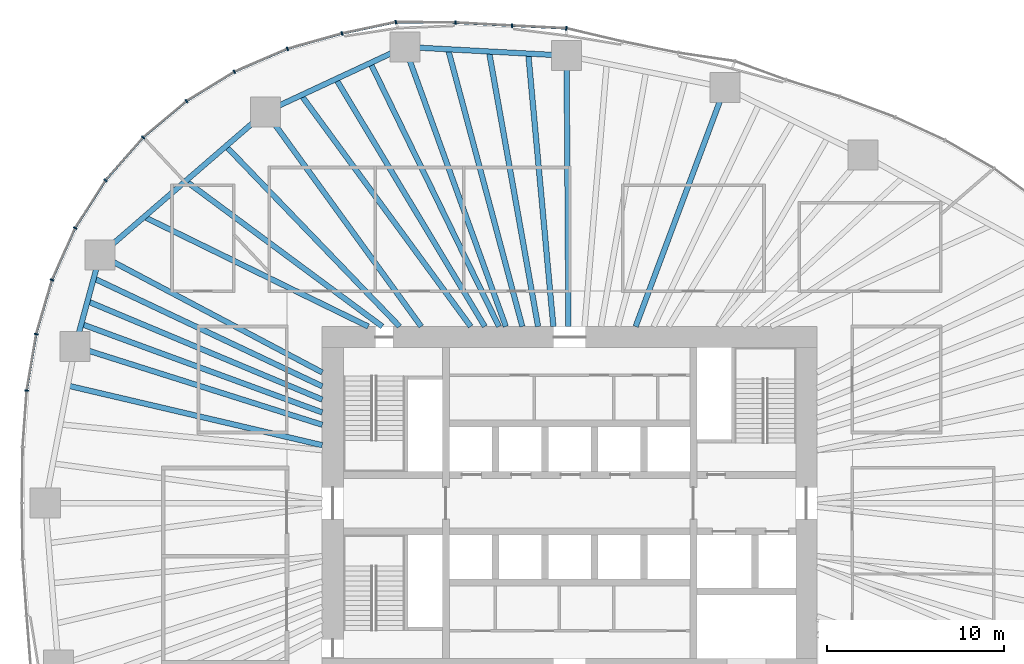
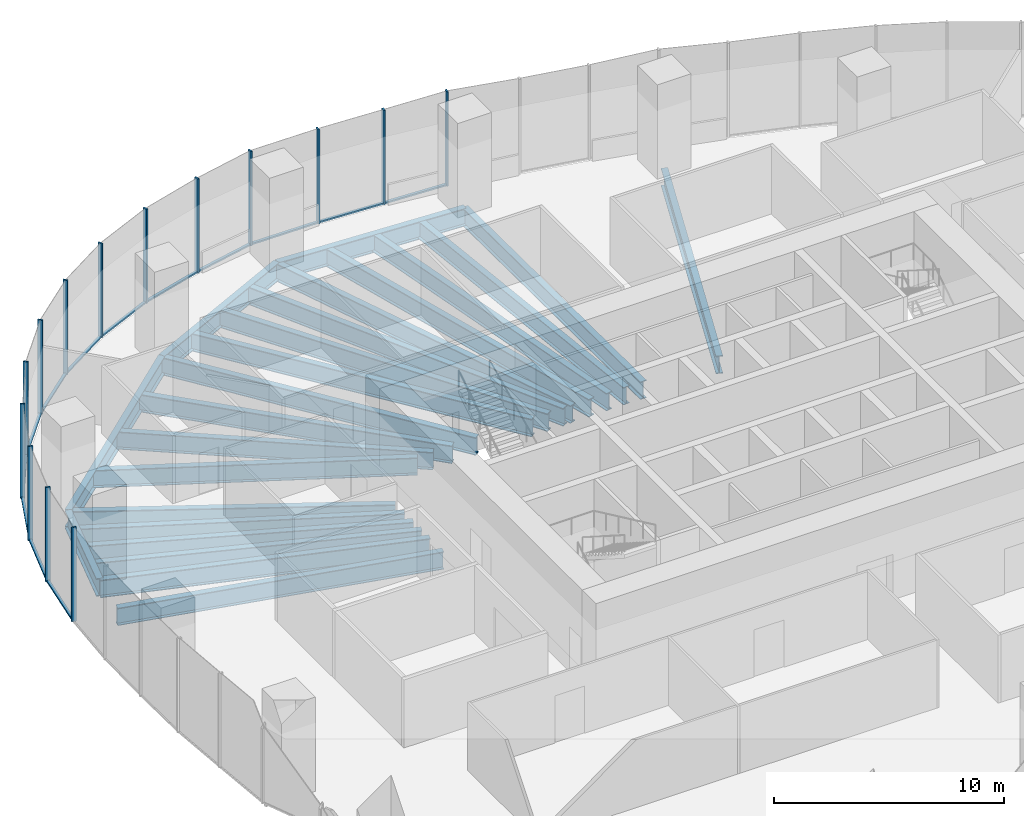
# One storey, part 5 of 20: 27 members, 23 beams, 5 elements without a shape of their own.
"""IFC4 building model written with IfcOpenShell, lengths in metres."""

from ifc_helpers import new_model, si_unit, direction, frame, origin, origin_2d, place, context, subcontext, project, spatial, rectangle, i_section, extrude, material, material_profile, profile_set, type_object, element, aggregate, save


model = new_model("IFC4")

# Units and contexts
model_context = context("Model", 3, precision=1e-05, world=origin(), true_north=direction((0.0, 1.0)))
body_context = subcontext(model_context, "Body", "Model", "MODEL_VIEW")
ifc_project = project(units=[si_unit("LENGTHUNIT", "METRE"), si_unit("AREAUNIT", "SQUARE_METRE"), si_unit("VOLUMEUNIT", "CUBIC_METRE"), si_unit("PLANEANGLEUNIT", "RADIAN"), si_unit("MASSUNIT", "GRAM", prefix="KILO")], contexts=[model_context])

# Site, building, storey
site_placement = place(None, origin())
site = spatial("IfcSite", under=ifc_project, at=site_placement, CompositionType="ELEMENT")
building_placement = place(site_placement, origin())
building = spatial("IfcBuilding", under=site, at=building_placement, Name="Ghaith Harvest Tower", CompositionType="ELEMENT")
storey_placement = place(building_placement, frame((0.0, 0.0, 85.0)))
storey = spatial("IfcBuildingStorey", under=building, at=storey_placement, Name="L17", CompositionType="ELEMENT", Elevation=85.0)

# Curtain wall, members
ifc_material_1 = material(Name="Black anodised aluminium and fritted glass", Category="aluminium")
curtain_wall_type = type_object("IfcCurtainWallType", Name="CW-F CURTAIN WALL", PredefinedType="NOTDEFINED", material=ifc_material_1)
curtain_wall_1_placement = place(storey_placement, origin())
curtain_wall_1 = element("IfcCurtainWall", 1, at=curtain_wall_1_placement, inside=storey, type_object=curtain_wall_type, Name="Curtain wall CW-F bay 06 L17", PredefinedType="NOTDEFINED")
ifc_material_2 = material(Name="Aluminium, black anodised", Category="aluminium")
ifc_material_profile_1 = material_profile(ifc_material_2, rectangle(XDim=0.080078125, YDim=0.219970703125, at=origin_2d()), Name="CW-F MULLION 80x220")
ifc_profile_set_1 = profile_set([ifc_material_profile_1], Name="Aluminium, black anodised")
member_type_1 = type_object("IfcMemberType", Name="CW-F MULLION 80x220", PredefinedType="MULLION", material=ifc_profile_set_1)
member_1_placement = place(storey_placement, frame((-0.183837890625, 26.877197265625, 0.0), z_axis=(0.0, 0.0, 1.0), x_axis=(-0.98971187143, 0.143074845976, 0.0)))
member_1 = element("IfcMember", 2, at=member_1_placement, type_object=member_type_1, Name="CW-F mullion 1 bay 06 L17", PredefinedType="MULLION", context=body_context, shape_type="SweptSolid", body=[
    extrude(rectangle(XDim=0.080078125, YDim=0.219970703125, at=origin_2d()), origin(), (0.0, 0.0, 1.0), 5.0),
])
member_2_placement = place(storey_placement, frame((-3.261962890625, 27.02978515625, 0.0), z_axis=(0.0, 0.0, 1.0), x_axis=(-0.998666923291, 0.051617597049, 0.0)))
member_2 = element("IfcMember", 3, at=member_2_placement, type_object=member_type_1, Name="CW-F mullion 2 bay 06 L17", PredefinedType="MULLION", context=body_context, shape_type="SweptSolid", body=[
    extrude(rectangle(XDim=0.080078125, YDim=0.219970703125, at=origin_2d()), origin(), (0.0, 0.0, 1.0), 5.0),
])
member_3_placement = place(storey_placement, frame((-6.465087890625, 27.20166015625, 0.0), z_axis=(0.0, 0.0, 1.0), x_axis=(-0.999527102163, 0.030750155138, 0.0)))
member_3 = element("IfcMember", 4, at=member_3_placement, type_object=member_type_1, Name="CW-F mullion 3 bay 06 L17", PredefinedType="MULLION", context=body_context, shape_type="SweptSolid", body=[
    extrude(rectangle(XDim=0.080078125, YDim=0.219970703125, at=origin_2d()), origin(), (0.0, 0.0, 1.0), 5.0),
])

curtain_wall_2_placement = place(storey_placement, origin())
curtain_wall_2 = element("IfcCurtainWall", 5, at=curtain_wall_2_placement, inside=storey, type_object=curtain_wall_type, Name="Curtain wall CW-F bay 07 L17", PredefinedType="NOTDEFINED")
member_4_placement = place(storey_placement, frame((-9.835693359375, 27.232177734375, 0.0), z_axis=(0.0, 0.0, 1.0), x_axis=(-0.995408459337, -0.095718332001, 0.0)))
member_4 = element("IfcMember", 6, at=member_4_placement, type_object=member_type_1, Name="CW-F mullion 1 bay 07 L17", PredefinedType="MULLION", context=body_context, shape_type="SweptSolid", body=[
    extrude(rectangle(XDim=0.080078125, YDim=0.219970703125, at=origin_2d()), origin(), (0.0, 0.0, 1.0), 5.0),
])
member_5_placement = place(storey_placement, frame((-12.880615234375, 26.5849609375, 0.0), z_axis=(0.0, 0.0, 1.0), x_axis=(-0.970824511782, -0.239791091, 0.0)))
member_5 = element("IfcMember", 7, at=member_5_placement, type_object=member_type_1, Name="CW-F mullion 2 bay 07 L17", PredefinedType="MULLION", context=body_context, shape_type="SweptSolid", body=[
    extrude(rectangle(XDim=0.080078125, YDim=0.219970703125, at=origin_2d()), origin(), (0.0, 0.0, 1.0), 5.0),
])
member_6_placement = place(storey_placement, frame((-15.97119140625, 25.716552734375, 0.0), z_axis=(0.0, 0.0, 1.0), x_axis=(-0.942293550527, -0.334787790451, 0.0)))
member_6 = element("IfcMember", 8, at=member_6_placement, type_object=member_type_1, Name="CW-F mullion 3 bay 07 L17", PredefinedType="MULLION", context=body_context, shape_type="SweptSolid", body=[
    extrude(rectangle(XDim=0.080078125, YDim=0.219970703125, at=origin_2d()), origin(), (0.0, 0.0, 1.0), 5.0),
])

curtain_wall_3_placement = place(storey_placement, origin())
curtain_wall_3 = element("IfcCurtainWall", 9, at=curtain_wall_3_placement, inside=storey, type_object=curtain_wall_type, Name="Curtain wall CW-F bay 08 L17", PredefinedType="NOTDEFINED")
member_7_placement = place(storey_placement, frame((-18.96728515625, 24.42236328125, 0.0), z_axis=(0.0, 0.0, 1.0), x_axis=(-0.887912253252, -0.460012859086, 0.0)))
member_7 = element("IfcMember", 10, at=member_7_placement, type_object=member_type_1, Name="CW-F mullion 1 bay 08 L17", PredefinedType="MULLION", context=body_context, shape_type="SweptSolid", body=[
    extrude(rectangle(XDim=0.080078125, YDim=0.219970703125, at=origin_2d()), origin(), (0.0, 0.0, 1.0), 5.0),
])
member_8_placement = place(storey_placement, frame((-21.681640625, 22.758056640625, 0.0), z_axis=(0.0, 0.0, 1.0), x_axis=(-0.811400750439, -0.584490224202, 0.0)))
member_8 = element("IfcMember", 11, at=member_8_placement, type_object=member_type_1, Name="CW-F mullion 2 bay 08 L17", PredefinedType="MULLION", context=body_context, shape_type="SweptSolid", body=[
    extrude(rectangle(XDim=0.080078125, YDim=0.219970703125, at=origin_2d()), origin(), (0.0, 0.0, 1.0), 5.0),
])
member_9_placement = place(storey_placement, frame((-24.139404296875, 20.696533203125, 0.0), z_axis=(0.0, 0.0, 1.0), x_axis=(-0.714663248213, -0.699468685256, 0.0)))
member_9 = element("IfcMember", 12, at=member_9_placement, type_object=member_type_1, Name="CW-F mullion 3 bay 08 L17", PredefinedType="MULLION", context=body_context, shape_type="SweptSolid", body=[
    extrude(rectangle(XDim=0.080078125, YDim=0.219970703125, at=origin_2d()), origin(), (0.0, 0.0, 1.0), 5.0),
])

curtain_wall_4_placement = place(storey_placement, origin())
curtain_wall_4 = element("IfcCurtainWall", 13, at=curtain_wall_4_placement, inside=storey, type_object=curtain_wall_type, Name="Curtain wall CW-F bay 09 L17", PredefinedType="NOTDEFINED")
member_10_placement = place(storey_placement, frame((-26.26318359375, 18.274169921875, 0.0), z_axis=(0.0, 0.0, 1.0), x_axis=(-0.599861600644, -0.800103780814, 0.0)))
member_10 = element("IfcMember", 14, at=member_10_placement, type_object=member_type_1, Name="CW-F mullion 1 bay 09 L17", PredefinedType="MULLION", context=body_context, shape_type="SweptSolid", body=[
    extrude(rectangle(XDim=0.080078125, YDim=0.219970703125, at=origin_2d()), origin(), (0.0, 0.0, 1.0), 5.0),
])
member_11_placement = place(storey_placement, frame((-27.986328125, 15.5654296875, 0.0), z_axis=(0.0, 0.0, 1.0), x_axis=(-0.473265082758, -0.880920065297, 0.0)))
member_11 = element("IfcMember", 15, at=member_11_placement, type_object=member_type_1, Name="CW-F mullion 2 bay 09 L17", PredefinedType="MULLION", context=body_context, shape_type="SweptSolid", body=[
    extrude(rectangle(XDim=0.080078125, YDim=0.219970703125, at=origin_2d()), origin(), (0.0, 0.0, 1.0), 5.0),
])
member_12_placement = place(storey_placement, frame((-29.29248046875, 12.63525390625, 0.0), z_axis=(0.0, 0.0, 1.0), x_axis=(-0.344618322502, -0.938742889079, 0.0)))
member_12 = element("IfcMember", 16, at=member_12_placement, type_object=member_type_1, Name="CW-F mullion 3 bay 09 L17", PredefinedType="MULLION", context=body_context, shape_type="SweptSolid", body=[
    extrude(rectangle(XDim=0.080078125, YDim=0.219970703125, at=origin_2d()), origin(), (0.0, 0.0, 1.0), 5.0),
])

curtain_wall_5_placement = place(storey_placement, origin())
curtain_wall_5 = element("IfcCurtainWall", 17, at=curtain_wall_5_placement, inside=storey, type_object=curtain_wall_type, Name="Curtain wall CW-F bay 10 L17", PredefinedType="NOTDEFINED")
member_13_placement = place(storey_placement, frame((-30.1884765625, 9.567138671875, 0.0), z_axis=(0.0, 0.0, 1.0), x_axis=(-0.222967363645, -0.97482590997, 0.0)))
member_13 = element("IfcMember", 18, at=member_13_placement, type_object=member_type_1, Name="CW-F mullion 1 bay 10 L17", PredefinedType="MULLION", context=body_context, shape_type="SweptSolid", body=[
    extrude(rectangle(XDim=0.080078125, YDim=0.219970703125, at=origin_2d()), origin(), (0.0, 0.0, 1.0), 5.0),
])
member_14_placement = place(storey_placement, frame((-30.724365234375, 6.37548828125, 0.0), z_axis=(0.0, 0.0, 1.0), x_axis=(-0.119352816132, -0.99285190501, 0.0)))
member_14 = element("IfcMember", 19, at=member_14_placement, type_object=member_type_1, Name="CW-F mullion 2 bay 10 L17", PredefinedType="MULLION", context=body_context, shape_type="SweptSolid", body=[
    extrude(rectangle(XDim=0.080078125, YDim=0.219970703125, at=origin_2d()), origin(), (0.0, 0.0, 1.0), 5.0),
])

# Member
ifc_material_3 = material(Name="Aluminium, black anodised", Category="aluminium")
ifc_material_profile_2 = material_profile(ifc_material_3, rectangle(XDim=0.139892578125, YDim=0.080078125, at=origin_2d()), Name="CW-F TRANSOM 140x80")
ifc_profile_set_2 = profile_set([ifc_material_profile_2], Name="Aluminium, black anodised")
member_type_2 = type_object("IfcMemberType", Name="CW-F TRANSOM 140x80", PredefinedType="USERDEFINED", material=ifc_profile_set_2)
member_15_placement = place(storey_placement, frame((-0.223876953125, 26.879150390625, 0.0400390625), z_axis=(-0.998772539109, 0.049531960612, 0.0), x_axis=(-0.049531960612, -0.998772539109, 0.0)))
member_15 = element("IfcMember", 20, at=member_15_placement, type_object=member_type_2, Name="CW-F transom 1 bay 06 L17", ObjectType="TRANSOM", PredefinedType="USERDEFINED", context=body_context, shape_type="SweptSolid", body=[
    extrude(rectangle(XDim=0.139892578125, YDim=0.080078125, at=origin_2d()), origin(), (0.0, 0.0, 1.0), 3.001708984375),
])

member_16_placement = place(storey_placement, frame((-3.3017578125, 27.031982421875, 0.0400390625), z_axis=(-0.99856142387, 0.053619798202, 0.0), x_axis=(-0.053619798202, -0.99856142387, 0.0)))
member_16 = element("IfcMember", 21, at=member_16_placement, type_object=member_type_2, Name="CW-F transom 2 bay 06 L17", ObjectType="TRANSOM", PredefinedType="USERDEFINED", context=body_context, shape_type="SweptSolid", body=[
    extrude(rectangle(XDim=0.139892578125, YDim=0.080078125, at=origin_2d()), origin(), (0.0, 0.0, 1.0), 3.1279296875),
])

member_17_placement = place(storey_placement, frame((-6.505126953125, 27.2021484375, 0.0400390625), z_axis=(-0.999959703847, 0.008977231352, 0.0), x_axis=(-0.008977231352, -0.999959703847, 0.0)))
member_17 = element("IfcMember", 22, at=member_17_placement, type_object=member_type_2, Name="CW-F transom 3 bay 06 L17", ObjectType="TRANSOM", PredefinedType="USERDEFINED", context=body_context, shape_type="SweptSolid", body=[
    extrude(rectangle(XDim=0.139892578125, YDim=0.080078125, at=origin_2d()), origin(), (0.0, 0.0, 1.0), 3.290771484375),
])

aggregate(curtain_wall_1, [member_1, member_15, member_2, member_16, member_3, member_17])

member_18_placement = place(storey_placement, frame((-9.874755859375, 27.2236328125, 0.0400390625), z_axis=(-0.978160283029, -0.207852016359, 0.0), x_axis=(0.207852016359, -0.978160283029, 0.0)))
member_18 = element("IfcMember", 23, at=member_18_placement, type_object=member_type_2, Name="CW-F transom 1 bay 07 L17", ObjectType="TRANSOM", PredefinedType="USERDEFINED", context=body_context, shape_type="SweptSolid", body=[
    extrude(rectangle(XDim=0.139892578125, YDim=0.080078125, at=origin_2d()), origin(), (0.0, 0.0, 1.0), 3.03271484375),
])

member_19_placement = place(storey_placement, frame((-12.9189453125, 26.573974609375, 0.0400390625), z_axis=(-0.962727128991, -0.270474536888, 0.0), x_axis=(0.270474536888, -0.962727128991, 0.0)))
member_19 = element("IfcMember", 24, at=member_19_placement, type_object=member_type_2, Name="CW-F transom 2 bay 07 L17", ObjectType="TRANSOM", PredefinedType="USERDEFINED", context=body_context, shape_type="SweptSolid", body=[
    extrude(rectangle(XDim=0.139892578125, YDim=0.080078125, at=origin_2d()), origin(), (0.0, 0.0, 1.0), 3.13037109375),
])

member_20_placement = place(storey_placement, frame((-16.008056640625, 25.70068359375, 0.0400390625), z_axis=(-0.9180027124, -0.396574104079, 0.0), x_axis=(0.396574104079, -0.9180027124, 0.0)))
member_20 = element("IfcMember", 25, at=member_20_placement, type_object=member_type_2, Name="CW-F transom 3 bay 07 L17", ObjectType="TRANSOM", PredefinedType="USERDEFINED", context=body_context, shape_type="SweptSolid", body=[
    extrude(rectangle(XDim=0.139892578125, YDim=0.080078125, at=origin_2d()), origin(), (0.0, 0.0, 1.0), 3.183349609375),
])

aggregate(curtain_wall_2, [member_4, member_18, member_5, member_19, member_6, member_20])

member_21_placement = place(storey_placement, frame((-19.001220703125, 24.4013671875, 0.0400390625), z_axis=(-0.852561687195, -0.522626606219, 0.0), x_axis=(0.522626606219, -0.852561687195, 0.0)))
member_21 = element("IfcMember", 26, at=member_21_placement, type_object=member_type_2, Name="CW-F transom 1 bay 08 L17", ObjectType="TRANSOM", PredefinedType="USERDEFINED", context=body_context, shape_type="SweptSolid", body=[
    extrude(rectangle(XDim=0.139892578125, YDim=0.080078125, at=origin_2d()), origin(), (0.0, 0.0, 1.0), 3.104248046875),
])

member_22_placement = place(storey_placement, frame((-21.71240234375, 22.732421875, 0.0400390625), z_axis=(-0.766144434184, -0.642668426149, 0.0), x_axis=(0.642668426149, -0.766144434184, 0.0)))
member_22 = element("IfcMember", 27, at=member_22_placement, type_object=member_type_2, Name="CW-F transom 2 bay 08 L17", ObjectType="TRANSOM", PredefinedType="USERDEFINED", context=body_context, shape_type="SweptSolid", body=[
    extrude(rectangle(XDim=0.139892578125, YDim=0.080078125, at=origin_2d()), origin(), (0.0, 0.0, 1.0), 3.1279296875),
])

member_23_placement = place(storey_placement, frame((-24.165771484375, 20.66650390625, 0.0400390625), z_axis=(-0.65923052982, -0.751940894322, 0.0), x_axis=(0.751940894322, -0.65923052982, 0.0)))
member_23 = element("IfcMember", 28, at=member_23_placement, type_object=member_type_2, Name="CW-F transom 3 bay 08 L17", ObjectType="TRANSOM", PredefinedType="USERDEFINED", context=body_context, shape_type="SweptSolid", body=[
    extrude(rectangle(XDim=0.139892578125, YDim=0.080078125, at=origin_2d()), origin(), (0.0, 0.0, 1.0), 3.1416015625),
])

aggregate(curtain_wall_3, [member_7, member_21, member_8, member_22, member_9, member_23])

member_24_placement = place(storey_placement, frame((-26.28466796875, 18.240234375, 0.0400390625), z_axis=(-0.536754366643, -0.843738555412, 0.0), x_axis=(0.843738555412, -0.536754366643, 0.0)))
member_24 = element("IfcMember", 29, at=member_24_placement, type_object=member_type_2, Name="CW-F transom 1 bay 09 L17", ObjectType="TRANSOM", PredefinedType="USERDEFINED", context=body_context, shape_type="SweptSolid", body=[
    extrude(rectangle(XDim=0.139892578125, YDim=0.080078125, at=origin_2d()), origin(), (0.0, 0.0, 1.0), 3.13037109375),
])

member_25_placement = place(storey_placement, frame((-28.002685546875, 15.52880859375, 0.0400390625), z_axis=(-0.407123143204, -0.913373278714, 0.0), x_axis=(0.913373278714, -0.407123143204, 0.0)))
member_25 = element("IfcMember", 30, at=member_25_placement, type_object=member_type_2, Name="CW-F transom 2 bay 09 L17", ObjectType="TRANSOM", PredefinedType="USERDEFINED", context=body_context, shape_type="SweptSolid", body=[
    extrude(rectangle(XDim=0.139892578125, YDim=0.080078125, at=origin_2d()), origin(), (0.0, 0.0, 1.0), 3.1279296875),
])

member_26_placement = place(storey_placement, frame((-29.3037109375, 12.596923828125, 0.0400390625), z_axis=(-0.280324903873, -0.959905176707, 0.0), x_axis=(0.959905176707, -0.280324903873, 0.0)))
member_26 = element("IfcMember", 31, at=member_26_placement, type_object=member_type_2, Name="CW-F transom 3 bay 09 L17", ObjectType="TRANSOM", PredefinedType="USERDEFINED", context=body_context, shape_type="SweptSolid", body=[
    extrude(rectangle(XDim=0.139892578125, YDim=0.080078125, at=origin_2d()), origin(), (0.0, 0.0, 1.0), 3.1162109375),
])

aggregate(curtain_wall_4, [member_10, member_24, member_11, member_25, member_12, member_26])

member_27_placement = place(storey_placement, frame((-30.195068359375, 9.52783203125, 0.0400390625), z_axis=(-0.165527763099, -0.986205130611, 0.0), x_axis=(0.986205130611, -0.165527763099, 0.0)))
member_27 = element("IfcMember", 32, at=member_27_placement, type_object=member_type_2, Name="CW-F transom 1 bay 10 L17", ObjectType="TRANSOM", PredefinedType="USERDEFINED", context=body_context, shape_type="SweptSolid", body=[
    extrude(rectangle(XDim=0.139892578125, YDim=0.080078125, at=origin_2d()), origin(), (0.0, 0.0, 1.0), 3.15625),
])

aggregate(curtain_wall_5, [member_13, member_27, member_14])

# Beams
ifc_material_4 = material(Name="Steel ASTM A992 Grade 50", Category="steel")
ifc_material_profile_3 = material_profile(ifc_material_4, i_section(OverallWidth=0.306884765625, OverallDepth=0.94189453125, WebThickness=0.022216796875, FlangeThickness=0.039794921875, at=origin_2d()), Name="W920X345")
ifc_profile_set_3 = profile_set([ifc_material_profile_3], Name="Steel ASTM A992 Grade 50")
beam_type_1 = type_object("IfcBeamType", Name="E920-345 W920X345", PredefinedType="SPANDREL", material=ifc_profile_set_3)
beam_1_placement = place(storey_placement, frame((-0.173095703125, 25.326904296875, -0.6708984375), z_axis=(-0.998545840532, 0.053909223293, 0.0), x_axis=(-0.053909223293, -0.998545840532, 0.0)))
element("IfcBeam", 33, at=beam_1_placement, inside=storey, type_object=beam_type_1, Name="Edge beam E06 L17", PredefinedType="SPANDREL", context=body_context, shape_type="SweptSolid", body=[
    extrude(i_section(OverallWidth=0.306884765625, OverallDepth=0.94189453125, WebThickness=0.022216796875, FlangeThickness=0.039794921875, at=origin_2d()), origin(), (0.0, 0.0, 1.0), 9.166259765625),
])
beam_2_placement = place(storey_placement, frame((-9.325927734375, 25.821044921875, -0.6708984375), z_axis=(-0.906373259523, -0.422477827137, 0.0), x_axis=(0.422477827137, -0.906373259523, 0.0)))
element("IfcBeam", 34, at=beam_2_placement, inside=storey, type_object=beam_type_1, Name="Edge beam E07 L17", PredefinedType="SPANDREL", context=body_context, shape_type="SweptSolid", body=[
    extrude(i_section(OverallWidth=0.306884765625, OverallDepth=0.94189453125, WebThickness=0.022216796875, FlangeThickness=0.039794921875, at=origin_2d()), origin(), (0.0, 0.0, 1.0), 8.689453125),
])
beam_3_placement = place(storey_placement, frame((-17.201904296875, 22.14990234375, -0.6708984375), z_axis=(-0.756392158274, -0.654118416574, 0.0), x_axis=(0.654118416574, -0.756392158274, 0.0)))
element("IfcBeam", 35, at=beam_3_placement, inside=storey, type_object=beam_type_1, Name="Edge beam E08 L17", PredefinedType="SPANDREL", context=body_context, shape_type="SweptSolid", body=[
    extrude(i_section(OverallWidth=0.306884765625, OverallDepth=0.94189453125, WebThickness=0.022216796875, FlangeThickness=0.039794921875, at=origin_2d()), origin(), (0.0, 0.0, 1.0), 12.38916015625),
])
beam_4_placement = place(storey_placement, frame((-26.572998046875, 14.0458984375, -0.6708984375), z_axis=(-0.262724740433, -0.964870825947, 0.0), x_axis=(0.964870825947, -0.262724740433, 0.0)))
element("IfcBeam", 36, at=beam_4_placement, inside=storey, type_object=beam_type_1, Name="Edge beam E09 L17", PredefinedType="SPANDREL", context=body_context, shape_type="SweptSolid", body=[
    extrude(i_section(OverallWidth=0.306884765625, OverallDepth=0.94189453125, WebThickness=0.022216796875, FlangeThickness=0.039794921875, at=origin_2d()), origin(), (0.0, 0.0, 1.0), 5.366455078125),
])
ifc_material_5 = material(Name="Steel ASTM A992 Grade 50", Category="steel")
ifc_material_profile_4 = material_profile(ifc_material_5, i_section(OverallWidth=0.306884765625, OverallDepth=0.94189453125, WebThickness=0.022216796875, FlangeThickness=0.039794921875, at=origin_2d()), Name="W920X345")
ifc_profile_set_4 = profile_set([ifc_material_profile_4], Name="Steel ASTM A992 Grade 50")
beam_type_2 = type_object("IfcBeamType", Name="G920-345 W920X345", PredefinedType="BEAM", material=ifc_profile_set_4)
beam_5_placement = place(storey_placement, frame((3.73828125, 10.0, -0.6708984375), z_axis=(0.350150596156, 0.936693418367, 0.0), x_axis=(-0.936693418367, 0.350150596156, 0.0)))
element("IfcBeam", 37, at=beam_5_placement, inside=storey, type_object=beam_type_2, Name="Radial girder G05 L17", PredefinedType="BEAM", context=body_context, shape_type="SweptSolid", body=[
    extrude(i_section(OverallWidth=0.306884765625, OverallDepth=0.94189453125, WebThickness=0.022216796875, FlangeThickness=0.039794921875, at=origin_2d()), origin(), (0.0, 0.0, 1.0), 14.44140625),
])
beam_6_placement = place(storey_placement, frame((-0.068359375, 10.0, -0.6708984375), z_axis=(-0.006833335732, 0.999976652489, 0.0), x_axis=(-0.999976652489, -0.006833335732, 0.0)))
element("IfcBeam", 38, at=beam_6_placement, inside=storey, type_object=beam_type_2, Name="Radial girder G06 L17", PredefinedType="BEAM", context=body_context, shape_type="SweptSolid", body=[
    extrude(i_section(OverallWidth=0.306884765625, OverallDepth=0.94189453125, WebThickness=0.022216796875, FlangeThickness=0.039794921875, at=origin_2d()), origin(), (0.0, 0.0, 1.0), 15.3271484375),
])
beam_7_placement = place(storey_placement, frame((-3.61181640625, 10.0, -0.6708984375), z_axis=(-0.339694751271, 0.940535738799, 0.0), x_axis=(-0.940535738799, -0.339694751271, 0.0)))
element("IfcBeam", 39, at=beam_7_placement, inside=storey, type_object=beam_type_2, Name="Radial girder G07 L17", PredefinedType="BEAM", context=body_context, shape_type="SweptSolid", body=[
    extrude(i_section(OverallWidth=0.306884765625, OverallDepth=0.94189453125, WebThickness=0.022216796875, FlangeThickness=0.039794921875, at=origin_2d()), origin(), (0.0, 0.0, 1.0), 16.8212890625),
])
beam_8_placement = place(storey_placement, frame((-8.39990234375, 10.0, -0.6708984375), z_axis=(-0.586675813287, 0.809821887889, 0.0), x_axis=(-0.809821887889, -0.586675813287, 0.0)))
element("IfcBeam", 40, at=beam_8_placement, inside=storey, type_object=beam_type_2, Name="Radial girder G08 L17", PredefinedType="BEAM", context=body_context, shape_type="SweptSolid", body=[
    extrude(i_section(OverallWidth=0.306884765625, OverallDepth=0.94189453125, WebThickness=0.022216796875, FlangeThickness=0.039794921875, at=origin_2d()), origin(), (0.0, 0.0, 1.0), 15.003173828125),
])
beam_9_placement = place(storey_placement, frame((-14.0, 7.39990234375, -0.6708984375), z_axis=(-0.88408713845, 0.467322085533, 0.0), x_axis=(-0.467322085533, -0.88408713845, 0.0)))
element("IfcBeam", 41, at=beam_9_placement, inside=storey, type_object=beam_type_2, Name="Radial girder G09 L17", PredefinedType="BEAM", context=body_context, shape_type="SweptSolid", body=[
    extrude(i_section(OverallWidth=0.306884765625, OverallDepth=0.94189453125, WebThickness=0.022216796875, FlangeThickness=0.039794921875, at=origin_2d()), origin(), (0.0, 0.0, 1.0), 14.221435546875),
])
beam_10_placement = place(storey_placement, frame((-14.0, 4.43701171875, -0.6708984375), z_axis=(-0.953283605796, 0.302076756671, 0.0), x_axis=(-0.302076756671, -0.953283605796, 0.0)))
element("IfcBeam", 42, at=beam_10_placement, inside=storey, type_object=beam_type_2, Name="Radial girder G10 L17", PredefinedType="BEAM", context=body_context, shape_type="SweptSolid", body=[
    extrude(i_section(OverallWidth=0.306884765625, OverallDepth=0.94189453125, WebThickness=0.022216796875, FlangeThickness=0.039794921875, at=origin_2d()), origin(), (0.0, 0.0, 1.0), 14.668212890625),
])
ifc_material_6 = material(Name="Steel ASTM A992 Grade 50", Category="steel")
ifc_material_profile_5 = material_profile(ifc_material_6, i_section(OverallWidth=0.31005859375, OverallDepth=0.927001953125, WebThickness=0.019287109375, FlangeThickness=0.031982421875, at=origin_2d()), Name="W920X289")
ifc_profile_set_5 = profile_set([ifc_material_profile_5], Name="Steel ASTM A992 Grade 50")
beam_type_3 = type_object("IfcBeamType", Name="J920-289 W920X289", PredefinedType="JOIST", material=ifc_profile_set_5)
beam_11_placement = place(storey_placement, frame((-0.92041015625, 10.0, -0.66357421875), z_axis=(-0.091647013776, 0.995791556936, 0.0), x_axis=(-0.995791556936, -0.091647013776, 0.0)))
element("IfcBeam", 43, at=beam_11_placement, inside=storey, type_object=beam_type_3, Name="Joist J06.1 L17", PredefinedType="JOIST", context=body_context, shape_type="SweptSolid", body=[
    extrude(i_section(OverallWidth=0.31005859375, OverallDepth=0.927001953125, WebThickness=0.019287109375, FlangeThickness=0.031982421875, at=origin_2d()), origin(), (0.0, 0.0, 1.0), 15.50927734375),
])
beam_12_placement = place(storey_placement, frame((-1.785888671875, 10.0, -0.66357421875), z_axis=(-0.175789035136, 0.984427861819, 0.0), x_axis=(-0.984427861819, -0.175789035136, 0.0)))
element("IfcBeam", 44, at=beam_12_placement, inside=storey, type_object=beam_type_3, Name="Joist J06.2 L17", PredefinedType="JOIST", context=body_context, shape_type="SweptSolid", body=[
    extrude(i_section(OverallWidth=0.31005859375, OverallDepth=0.927001953125, WebThickness=0.019287109375, FlangeThickness=0.031982421875, at=origin_2d()), origin(), (0.0, 0.0, 1.0), 15.810302734375),
])
beam_13_placement = place(storey_placement, frame((-10.60009765625, 10.0, -0.66357421875), z_axis=(-0.803663089107, 0.595084564752, 0.0), x_axis=(-0.595084564752, -0.803663089107, 0.0)))
element("IfcBeam", 45, at=beam_13_placement, inside=storey, type_object=beam_type_3, Name="Joist J08.2 L17", PredefinedType="JOIST", context=body_context, shape_type="SweptSolid", body=[
    extrude(i_section(OverallWidth=0.31005859375, OverallDepth=0.927001953125, WebThickness=0.019287109375, FlangeThickness=0.031982421875, at=origin_2d()), origin(), (0.0, 0.0, 1.0), 13.843505859375),
])
beam_14_placement = place(storey_placement, frame((-11.39990234375, 10.0, -0.66357421875), z_axis=(-0.898274832354, 0.439434096946, 0.0), x_axis=(-0.439434096946, -0.898274832354, 0.0)))
element("IfcBeam", 46, at=beam_14_placement, inside=storey, type_object=beam_type_3, Name="Joist J08.3 L17", PredefinedType="JOIST", context=body_context, shape_type="SweptSolid", body=[
    extrude(i_section(OverallWidth=0.31005859375, OverallDepth=0.927001953125, WebThickness=0.019287109375, FlangeThickness=0.031982421875, at=origin_2d()), origin(), (0.0, 0.0, 1.0), 14.114990234375),
])
beam_15_placement = place(storey_placement, frame((-14.0, 6.614990234375, -0.66357421875), z_axis=(-0.904153428261, 0.427207886354, 0.0), x_axis=(-0.427207886354, -0.904153428261, 0.0)))
element("IfcBeam", 47, at=beam_15_placement, inside=storey, type_object=beam_type_3, Name="Joist J09.1 L17", PredefinedType="JOIST", context=body_context, shape_type="SweptSolid", body=[
    extrude(i_section(OverallWidth=0.31005859375, OverallDepth=0.927001953125, WebThickness=0.019287109375, FlangeThickness=0.031982421875, at=origin_2d()), origin(), (0.0, 0.0, 1.0), 14.303466796875),
])
beam_16_placement = place(storey_placement, frame((-14.0, 5.862548828125, -0.66357421875), z_axis=(-0.922385943167, 0.38626955853, 0.0), x_axis=(-0.38626955853, -0.922385943167, 0.0)))
element("IfcBeam", 48, at=beam_16_placement, inside=storey, type_object=beam_type_3, Name="Joist J09.2 L17", PredefinedType="JOIST", context=body_context, shape_type="SweptSolid", body=[
    extrude(i_section(OverallWidth=0.31005859375, OverallDepth=0.927001953125, WebThickness=0.019287109375, FlangeThickness=0.031982421875, at=origin_2d()), origin(), (0.0, 0.0, 1.0), 14.404296875),
])
beam_17_placement = place(storey_placement, frame((-14.0, 5.137939453125, -0.66357421875), z_axis=(-0.93877541132, 0.344529718748, 0.0), x_axis=(-0.344529718748, -0.93877541132, 0.0)))
element("IfcBeam", 49, at=beam_17_placement, inside=storey, type_object=beam_type_3, Name="Joist J09.3 L17", PredefinedType="JOIST", context=body_context, shape_type="SweptSolid", body=[
    extrude(i_section(OverallWidth=0.31005859375, OverallDepth=0.927001953125, WebThickness=0.019287109375, FlangeThickness=0.031982421875, at=origin_2d()), origin(), (0.0, 0.0, 1.0), 14.525390625),
])
beam_18_placement = place(storey_placement, frame((-14.0, 3.280517578125, -0.66357421875), z_axis=(-0.973623012228, 0.228162727151, 0.0), x_axis=(-0.228162727151, -0.973623012228, 0.0)))
element("IfcBeam", 50, at=beam_18_placement, inside=storey, type_object=beam_type_3, Name="Joist J10.1 L17", PredefinedType="JOIST", context=body_context, shape_type="SweptSolid", body=[
    extrude(i_section(OverallWidth=0.31005859375, OverallDepth=0.927001953125, WebThickness=0.019287109375, FlangeThickness=0.031982421875, at=origin_2d()), origin(), (0.0, 0.0, 1.0), 14.795166015625),
])
ifc_material_7 = material(Name="Steel ASTM A992 Grade 50", Category="steel")
ifc_material_profile_6 = material_profile(ifc_material_7, i_section(OverallWidth=0.306884765625, OverallDepth=0.94189453125, WebThickness=0.022216796875, FlangeThickness=0.039794921875, at=origin_2d()), Name="W920X345")
ifc_profile_set_6 = profile_set([ifc_material_profile_6], Name="Steel ASTM A992 Grade 50")
beam_type_4 = type_object("IfcBeamType", Name="J920-345 W920X345", PredefinedType="JOIST", material=ifc_profile_set_6)
beam_19_placement = place(storey_placement, frame((-2.677978515625, 10.0, -0.6708984375), z_axis=(-0.258679482451, 0.965963211183, 0.0), x_axis=(-0.965963211183, -0.258679482451, 0.0)))
element("IfcBeam", 51, at=beam_19_placement, inside=storey, type_object=beam_type_4, Name="Joist J06.3 L17", PredefinedType="JOIST", context=body_context, shape_type="SweptSolid", body=[
    extrude(i_section(OverallWidth=0.306884765625, OverallDepth=0.94189453125, WebThickness=0.022216796875, FlangeThickness=0.039794921875, at=origin_2d()), origin(), (0.0, 0.0, 1.0), 16.24169921875),
])
beam_20_placement = place(storey_placement, frame((-4.0, 10.0, -0.6708984375), z_axis=(-0.438505380705, 0.898728563635, 0.0), x_axis=(-0.898728563635, -0.438505380705, 0.0)))
element("IfcBeam", 52, at=beam_20_placement, inside=storey, type_object=beam_type_4, Name="Joist J07.1 L17", PredefinedType="JOIST", context=body_context, shape_type="SweptSolid", body=[
    extrude(i_section(OverallWidth=0.306884765625, OverallDepth=0.94189453125, WebThickness=0.022216796875, FlangeThickness=0.039794921875, at=origin_2d()), origin(), (0.0, 0.0, 1.0), 16.592529296875),
])
beam_21_placement = place(storey_placement, frame((-4.800048828125, 10.0, -0.6708984375), z_axis=(-0.515358894704, 0.85697445099, 0.0), x_axis=(-0.85697445099, -0.515358894704, 0.0)))
element("IfcBeam", 53, at=beam_21_placement, inside=storey, type_object=beam_type_4, Name="Joist J07.2 L17", PredefinedType="JOIST", context=body_context, shape_type="SweptSolid", body=[
    extrude(i_section(OverallWidth=0.306884765625, OverallDepth=0.94189453125, WebThickness=0.022216796875, FlangeThickness=0.039794921875, at=origin_2d()), origin(), (0.0, 0.0, 1.0), 16.34228515625),
])
beam_22_placement = place(storey_placement, frame((-5.60009765625, 10.0, -0.6708984375), z_axis=(-0.591008736068, 0.806665155992, 0.0), x_axis=(-0.806665155992, -0.591008736068, 0.0)))
element("IfcBeam", 54, at=beam_22_placement, inside=storey, type_object=beam_type_4, Name="Joist J07.3 L17", PredefinedType="JOIST", context=body_context, shape_type="SweptSolid", body=[
    extrude(i_section(OverallWidth=0.306884765625, OverallDepth=0.94189453125, WebThickness=0.022216796875, FlangeThickness=0.039794921875, at=origin_2d()), origin(), (0.0, 0.0, 1.0), 16.22509765625),
])
beam_23_placement = place(storey_placement, frame((-9.626708984375, 10.0, -0.6708984375), z_axis=(-0.693535693616, 0.720422266231, 0.0), x_axis=(-0.720422266231, -0.693535693616, 0.0)))
element("IfcBeam", 55, at=beam_23_placement, inside=storey, type_object=beam_type_4, Name="Joist J08.1 L17", PredefinedType="JOIST", context=body_context, shape_type="SweptSolid", body=[
    extrude(i_section(OverallWidth=0.306884765625, OverallDepth=0.94189453125, WebThickness=0.022216796875, FlangeThickness=0.039794921875, at=origin_2d()), origin(), (0.0, 0.0, 1.0), 14.16552734375),
])

save(model, "model.ifc")
